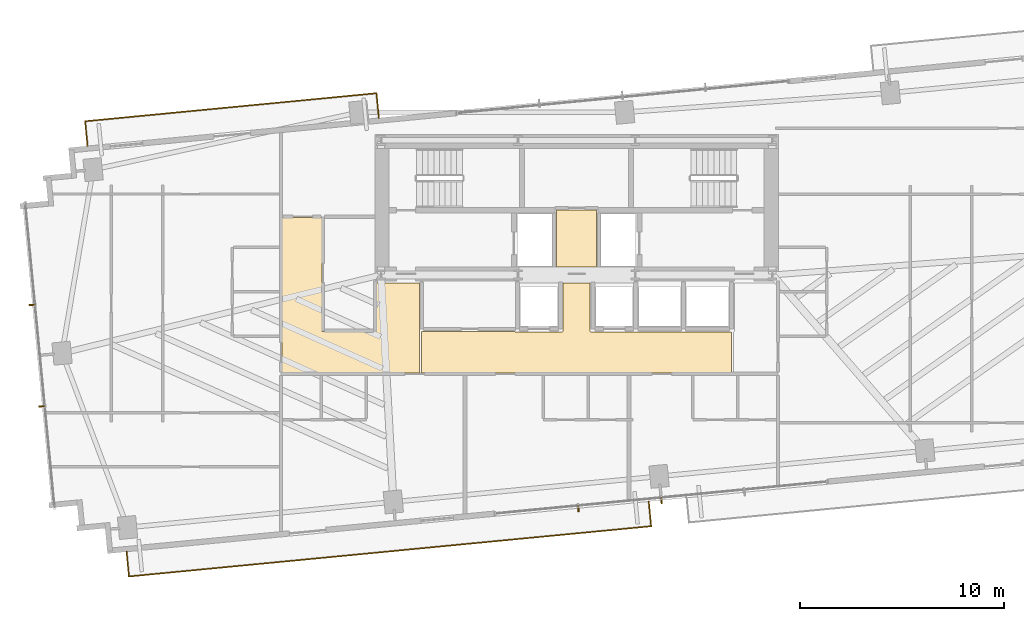
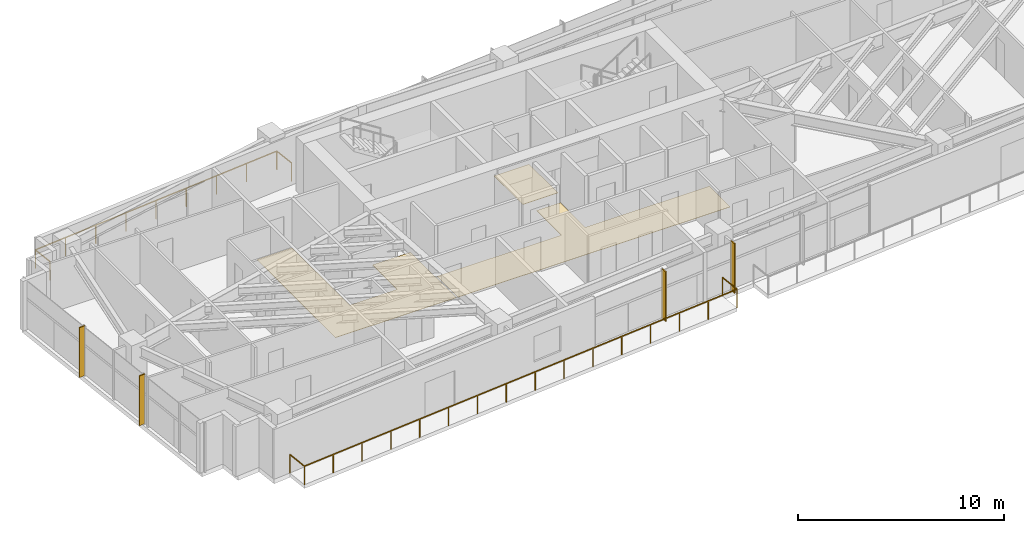
# One storey, part 23 of 25: 4 shading devices, 3 coverings, 2 railings.
"""IFC4 building model written with IfcOpenShell, lengths in metres."""

from ifc_helpers import new_model, si_unit, direction, frame, origin, origin_2d, place, context, subcontext, project, spatial, polyline, rectangle, outline, extrude, source, transform, mapped, material, layer, layer_set, type_object, type_shapes, element, save


model = new_model("IFC4")

# Units and contexts
model_context = context("Model", 3, precision=1e-05, world=origin(), true_north=direction((0.0, 1.0)))
body_context = subcontext(model_context, "Body", "Model", "MODEL_VIEW")
ifc_project = project(units=[si_unit("LENGTHUNIT", "METRE"), si_unit("AREAUNIT", "SQUARE_METRE"), si_unit("VOLUMEUNIT", "CUBIC_METRE"), si_unit("PLANEANGLEUNIT", "RADIAN"), si_unit("MASSUNIT", "GRAM", prefix="KILO")], contexts=[model_context])

# Site, building, storey
site_placement = place(None, origin())
site = spatial("IfcSite", under=ifc_project, at=site_placement, CompositionType="ELEMENT")
building_placement = place(site_placement, origin())
building = spatial("IfcBuilding", under=site, at=building_placement, Name="Astriad Promenade Condominiums", CompositionType="ELEMENT")
storey_placement = place(building_placement, frame((0.0, 0.0, 106.60009765625)))
storey = spatial("IfcBuildingStorey", under=building, at=storey_placement, Name="L30", CompositionType="ELEMENT", Elevation=106.60009765625)

# Coverings
ifc_material_1 = material(Name="Polished Lakefront Terrazzo Flooring")
ifc_layer = layer(ifc_material_1, 0.02001953125)
ifc_layer_set = layer_set([ifc_layer], Name="Polished Lakefront Terrazzo Flooring")
covering_type = type_object("IfcCoveringType", Name="COV-FLOR-TERRAZZO-20", PredefinedType="FLOORING", material=ifc_layer_set)
covering_1_placement = place(storey_placement, origin())
element("IfcCovering", 1, at=covering_1_placement, inside=storey, type_object=covering_type, Name="FLR-L30-CSL", PredefinedType="FLOORING", context=body_context, shape_type="SweptSolid", body=[
    extrude(outline(polyline([(36.97998046875, 17.7900390625), (35.02001953125, 17.7900390625), (35.02001953125, 20.580078125), (36.97998046875, 20.580078125), (36.97998046875, 17.7900390625)])), origin(), (0.0, 0.0, 1.0), 0.02001953125),
])
covering_2_placement = place(storey_placement, origin())
element("IfcCovering", 2, at=covering_2_placement, inside=storey, type_object=covering_type, Name="FLR-L30-LLB", PredefinedType="FLOORING", context=body_context, shape_type="SweptSolid", body=[
    extrude(outline(polyline([(32.9736328125, 14.6201171875), (32.974609375, 14.619140625), (32.977783203125, 14.61669921875), (32.981201171875, 14.61474609375), (32.984619140625, 14.613037109375), (32.98828125, 14.61181640625), (32.9921875, 14.61083984375), (32.99609375, 14.610107421875), (33.0, 14.610107421875), (35.300048828125, 14.610107421875), (35.303955078125, 14.610107421875), (35.307861328125, 14.61083984375), (35.3115234375, 14.61181640625), (35.315185546875, 14.613037109375), (35.31884765625, 14.61474609375), (35.322265625, 14.61669921875), (35.325439453125, 14.619140625), (35.328369140625, 14.62158203125), (35.330810546875, 14.62451171875), (35.333251953125, 14.627685546875), (35.335205078125, 14.631103515625), (35.3369140625, 14.634765625), (35.33837890625, 14.638427734375), (35.339111328125, 14.64208984375), (35.33984375, 14.64599609375), (35.340087890625, 14.64990234375), (35.340087890625, 17.010009765625), (36.659912109375, 17.010009765625), (36.659912109375, 14.64990234375), (36.66015625, 14.64599609375), (36.660888671875, 14.64208984375), (36.66162109375, 14.638427734375), (36.6630859375, 14.634765625), (36.664794921875, 14.631103515625), (36.666748046875, 14.627685546875), (36.669189453125, 14.62451171875), (36.671630859375, 14.62158203125), (36.674560546875, 14.619140625), (36.677734375, 14.61669921875), (36.68115234375, 14.61474609375), (36.684814453125, 14.613037109375), (36.6884765625, 14.61181640625), (36.692138671875, 14.61083984375), (36.696044921875, 14.610107421875), (36.699951171875, 14.610107421875), (43.610107421875, 14.610107421875), (43.610107421875, 12.590087890625), (28.389892578125, 12.590087890625), (28.389892578125, 14.6201171875), (32.9736328125, 14.6201171875)])), origin(), (0.0, 0.0, 1.0), 0.02001953125),
])
covering_3_placement = place(storey_placement, origin())
element("IfcCovering", 3, at=covering_3_placement, inside=storey, type_object=covering_type, Name="FLR-L30-COR-2", PredefinedType="FLOORING", context=body_context, shape_type="SweptSolid", body=[
    extrude(outline(polyline([(28.300048828125, 12.590087890625), (21.5400390625, 12.590087890625), (21.5400390625, 20.2099609375), (23.510009765625, 20.2099609375), (23.510009765625, 14.659912109375), (23.51025390625, 14.656005859375), (23.5107421875, 14.652099609375), (23.51171875, 14.6484375), (23.512939453125, 14.644775390625), (23.5146484375, 14.64111328125), (23.5166015625, 14.6376953125), (23.51904296875, 14.634521484375), (23.521728515625, 14.631591796875), (23.524658203125, 14.629150390625), (23.52783203125, 14.626708984375), (23.531005859375, 14.624755859375), (23.53466796875, 14.623046875), (23.538330078125, 14.62158203125), (23.542236328125, 14.620849609375), (23.546142578125, 14.6201171875), (23.550048828125, 14.6201171875), (26.1201171875, 14.6201171875), (26.123779296875, 14.6201171875), (26.127685546875, 14.620849609375), (26.131591796875, 14.62158203125), (26.13525390625, 14.623046875), (26.138916015625, 14.624755859375), (26.14208984375, 14.626708984375), (26.1455078125, 14.629150390625), (26.148193359375, 14.631591796875), (26.15087890625, 14.634521484375), (26.1533203125, 14.6376953125), (26.1552734375, 14.64111328125), (26.156982421875, 14.644775390625), (26.158203125, 14.6484375), (26.1591796875, 14.652099609375), (26.159912109375, 14.656005859375), (26.159912109375, 14.659912109375), (26.159912109375, 17.010009765625), (28.280029296875, 17.010009765625), (28.280029296875, 14.659912109375), (28.2802734375, 14.656005859375), (28.28076171875, 14.652099609375), (28.28173828125, 14.6484375), (28.282958984375, 14.644775390625), (28.28466796875, 14.64111328125), (28.28662109375, 14.6376953125), (28.2890625, 14.634521484375), (28.291748046875, 14.631591796875), (28.294677734375, 14.629150390625), (28.2978515625, 14.626708984375), (28.300048828125, 14.62548828125), (28.300048828125, 12.590087890625)])), origin(), (0.0, 0.0, 1.0), 0.02001953125),
])

# Shading devices
ifc_material_2 = material(Name="Anodised aluminium 6063-T6 Black Fin", Category="aluminium")
shading_device_type = type_object("IfcShadingDeviceType", Name="FIN-BLACK-320", PredefinedType="USERDEFINED", material=ifc_material_2)
shared_shape_1 = source(origin(), body_context, "Body", "SweptSolid", [
    extrude(rectangle(XDim=0.06494140625, YDim=0.320068359375, at=origin_2d()), origin(), (0.0, 0.0, 1.0), 2.93994140625),
])
type_shapes(shading_device_type, [shared_shape_1])
for number, where, z_axis, x_axis, name in (
    (4, (9.766845703125, 10.954345703125, 0.0), (0.0, 0.0, 1.0), (-0.09584575252, 0.995396198367, 0.0), "CW-L30-W-FIN-01"),
    (5, (9.28759765625, 15.931396484375, 0.0), (0.0, 0.0, 1.0), (-0.09584575252, 0.995396198367, 0.0), "CW-L30-W-FIN-02"),
    (6, (40.159423828125, 6.3359375, 0.0), (0.0, 0.0, 1.0), (-0.995396198367, -0.09584575252, 0.0), "CW-L30-S-FIN-02"),
    (7, (36.083251953125, 5.943603515625, 0.0), (0.0, 0.0, 1.0), (-0.995396198367, -0.09584575252, 0.0), "CW-L30-S-FIN-03"),
):
    element("IfcShadingDevice", number, at=place(storey_placement, frame(where, z_axis=z_axis, x_axis=x_axis)), inside=storey, type_object=shading_device_type, Name=name, ObjectType="FIN", PredefinedType="USERDEFINED", context=body_context, shape_type="MappedRepresentation", body=[
        mapped(shared_shape_1, transform((0.0, 0.0, 0.0), scale=1.0)),
    ])

# Railings
ifc_material_3 = material(Name="Laminated Glass and Stainless Steel Balustrade", Category="steel")
railing_type = type_object("IfcRailingType", Name="GRD-BALC-1120", PredefinedType="BALUSTRADE", material=ifc_material_3)
shared_shape_2 = source(origin(), body_context, "Body", "SweptSolid", [
    extrude(rectangle(XDim=0.048095703125, YDim=0.048095703125, at=origin_2d()), frame((0.0, 0.0, 1.09619140625), z_axis=(0.096055582315, -0.995375971734, 0.0), x_axis=(0.995375971734, 0.096055582315, 0.0)), (0.0, 0.0, 1.0), 1.219970703125),
    extrude(rectangle(XDim=0.048095703125, YDim=0.048095703125, at=origin_2d()), frame((0.1171875, -1.21435546875, 1.09619140625), z_axis=(0.995395550248, 0.095852483254, 0.0), x_axis=(-0.095852483254, 0.995395550248, 0.0)), (0.0, 0.0, 1.0), 25.73779296875),
    extrude(rectangle(XDim=0.048095703125, YDim=0.048095703125, at=origin_2d()), frame((25.736572265625, 1.252685546875, 1.09619140625), z_axis=(-0.095857307208, 0.99539508571, 0.0), x_axis=(-0.99539508571, -0.095857307208, 0.0)), (0.0, 0.0, 1.0), 1.219970703125),
    extrude(rectangle(XDim=0.0419921875, YDim=0.0419921875, at=origin_2d()), origin(), (0.0, 0.0, 1.0), 1.072021484375),
    extrude(rectangle(XDim=0.0419921875, YDim=0.0419921875, at=origin_2d()), frame((0.1171875, -1.21435546875, 0.0)), (0.0, 0.0, 1.0), 1.072021484375),
    extrude(rectangle(XDim=0.0419921875, YDim=0.0419921875, at=origin_2d()), frame((1.8251953125, -1.0498046875, 0.0)), (0.0, 0.0, 1.0), 1.072021484375),
    extrude(rectangle(XDim=0.0419921875, YDim=0.0419921875, at=origin_2d()), frame((3.533203125, -0.885498046875, 0.0)), (0.0, 0.0, 1.0), 1.072021484375),
    extrude(rectangle(XDim=0.0419921875, YDim=0.0419921875, at=origin_2d()), frame((5.240966796875, -0.720947265625, 0.0)), (0.0, 0.0, 1.0), 1.072021484375),
    extrude(rectangle(XDim=0.0419921875, YDim=0.0419921875, at=origin_2d()), frame((6.948974609375, -0.556396484375, 0.0)), (0.0, 0.0, 1.0), 1.072021484375),
    extrude(rectangle(XDim=0.0419921875, YDim=0.0419921875, at=origin_2d()), frame((8.656982421875, -0.39208984375, 0.0)), (0.0, 0.0, 1.0), 1.072021484375),
    extrude(rectangle(XDim=0.0419921875, YDim=0.0419921875, at=origin_2d()), frame((10.364990234375, -0.2275390625, 0.0)), (0.0, 0.0, 1.0), 1.072021484375),
    extrude(rectangle(XDim=0.0419921875, YDim=0.0419921875, at=origin_2d()), frame((12.072998046875, -0.06298828125, 0.0)), (0.0, 0.0, 1.0), 1.072021484375),
    extrude(rectangle(XDim=0.0419921875, YDim=0.0419921875, at=origin_2d()), frame((13.78076171875, 0.101318359375, 0.0)), (0.0, 0.0, 1.0), 1.072021484375),
    extrude(rectangle(XDim=0.0419921875, YDim=0.0419921875, at=origin_2d()), frame((15.48876953125, 0.265869140625, 0.0)), (0.0, 0.0, 1.0), 1.072021484375),
    extrude(rectangle(XDim=0.0419921875, YDim=0.0419921875, at=origin_2d()), frame((17.19677734375, 0.430419921875, 0.0)), (0.0, 0.0, 1.0), 1.072021484375),
    extrude(rectangle(XDim=0.0419921875, YDim=0.0419921875, at=origin_2d()), frame((18.90478515625, 0.5947265625, 0.0)), (0.0, 0.0, 1.0), 1.072021484375),
    extrude(rectangle(XDim=0.0419921875, YDim=0.0419921875, at=origin_2d()), frame((20.61279296875, 0.75927734375, 0.0)), (0.0, 0.0, 1.0), 1.072021484375),
    extrude(rectangle(XDim=0.0419921875, YDim=0.0419921875, at=origin_2d()), frame((22.320556640625, 0.923828125, 0.0)), (0.0, 0.0, 1.0), 1.072021484375),
    extrude(rectangle(XDim=0.0419921875, YDim=0.0419921875, at=origin_2d()), frame((24.028564453125, 1.088134765625, 0.0)), (0.0, 0.0, 1.0), 1.072021484375),
    extrude(rectangle(XDim=0.0419921875, YDim=0.0419921875, at=origin_2d()), frame((25.736572265625, 1.252685546875, 0.0)), (0.0, 0.0, 1.0), 1.072021484375),
    extrude(rectangle(XDim=0.0419921875, YDim=0.0419921875, at=origin_2d()), frame((25.61962890625, 2.467041015625, 0.0)), (0.0, 0.0, 1.0), 1.072021484375),
])
railing_1_placement = place(storey_placement, frame((13.918701171875, 3.8193359375, 0.0)))
element("IfcRailing", 8, at=railing_1_placement, inside=storey, type_object=railing_type, Name="GRD-BALC-L30-SW", PredefinedType="BALUSTRADE", context=body_context, shape_type="MappedRepresentation", body=[
    mapped(shared_shape_2, transform((0.0, 0.0, 0.0), scale=1.0)),
])
shared_shape_3 = source(origin(), body_context, "Body", "SweptSolid", [
    extrude(rectangle(XDim=0.048095703125, YDim=0.048095703125, at=origin_2d()), frame((0.0, 0.0, 1.09619140625), z_axis=(-0.095857307208, 0.99539508571, 0.0), x_axis=(-0.99539508571, -0.095857307208, 0.0)), (0.0, 0.0, 1.0), 1.219970703125),
    extrude(rectangle(XDim=0.048095703125, YDim=0.048095703125, at=origin_2d()), frame((-0.116943359375, 1.21435546875, 1.09619140625), z_axis=(-0.995397684475, -0.095830317451, 0.0), x_axis=(0.095830317451, -0.995397684475, 0.0)), (0.0, 0.0, 1.0), 14.361083984375),
    extrude(rectangle(XDim=0.048095703125, YDim=0.048095703125, at=origin_2d()), frame((-14.411865234375, -0.161865234375, 1.09619140625), z_axis=(0.0958382164, -0.995396923984, 0.0), x_axis=(0.995396923984, 0.0958382164, 0.0)), (0.0, 0.0, 1.0), 1.22021484375),
    extrude(rectangle(XDim=0.0419921875, YDim=0.0419921875, at=origin_2d()), origin(), (0.0, 0.0, 1.0), 1.072021484375),
    extrude(rectangle(XDim=0.0419921875, YDim=0.0419921875, at=origin_2d()), frame((-0.116943359375, 1.21435546875, 0.0)), (0.0, 0.0, 1.0), 1.072021484375),
    extrude(rectangle(XDim=0.0419921875, YDim=0.0419921875, at=origin_2d()), frame((-1.90380859375, 1.042236328125, 0.0)), (0.0, 0.0, 1.0), 1.072021484375),
    extrude(rectangle(XDim=0.0419921875, YDim=0.0419921875, at=origin_2d()), frame((-3.690673828125, 0.870361328125, 0.0)), (0.0, 0.0, 1.0), 1.072021484375),
    extrude(rectangle(XDim=0.0419921875, YDim=0.0419921875, at=origin_2d()), frame((-5.4775390625, 0.6982421875, 0.0)), (0.0, 0.0, 1.0), 1.072021484375),
    extrude(rectangle(XDim=0.0419921875, YDim=0.0419921875, at=origin_2d()), frame((-7.264404296875, 0.5263671875, 0.0)), (0.0, 0.0, 1.0), 1.072021484375),
    extrude(rectangle(XDim=0.0419921875, YDim=0.0419921875, at=origin_2d()), frame((-9.05126953125, 0.354248046875, 0.0)), (0.0, 0.0, 1.0), 1.072021484375),
    extrude(rectangle(XDim=0.0419921875, YDim=0.0419921875, at=origin_2d()), frame((-10.838134765625, 0.18212890625, 0.0)), (0.0, 0.0, 1.0), 1.072021484375),
    extrude(rectangle(XDim=0.0419921875, YDim=0.0419921875, at=origin_2d()), frame((-12.625, 0.01025390625, 0.0)), (0.0, 0.0, 1.0), 1.072021484375),
    extrude(rectangle(XDim=0.0419921875, YDim=0.0419921875, at=origin_2d()), frame((-14.411865234375, -0.161865234375, 0.0)), (0.0, 0.0, 1.0), 1.072021484375),
    extrude(rectangle(XDim=0.0419921875, YDim=0.0419921875, at=origin_2d()), frame((-14.294921875, -1.37646484375, 0.0)), (0.0, 0.0, 1.0), 1.072021484375),
])
type_shapes(railing_type, [shared_shape_2, shared_shape_3])
railing_2_placement = place(storey_placement, frame((26.296875, 25.103759765625, 0.0)))
element("IfcRailing", 9, at=railing_2_placement, inside=storey, type_object=railing_type, Name="GRD-BALC-L30-NW", PredefinedType="BALUSTRADE", context=body_context, shape_type="MappedRepresentation", body=[
    mapped(shared_shape_3, transform((0.0, 0.0, 0.0), scale=1.0)),
])

save(model, "model.ifc")
